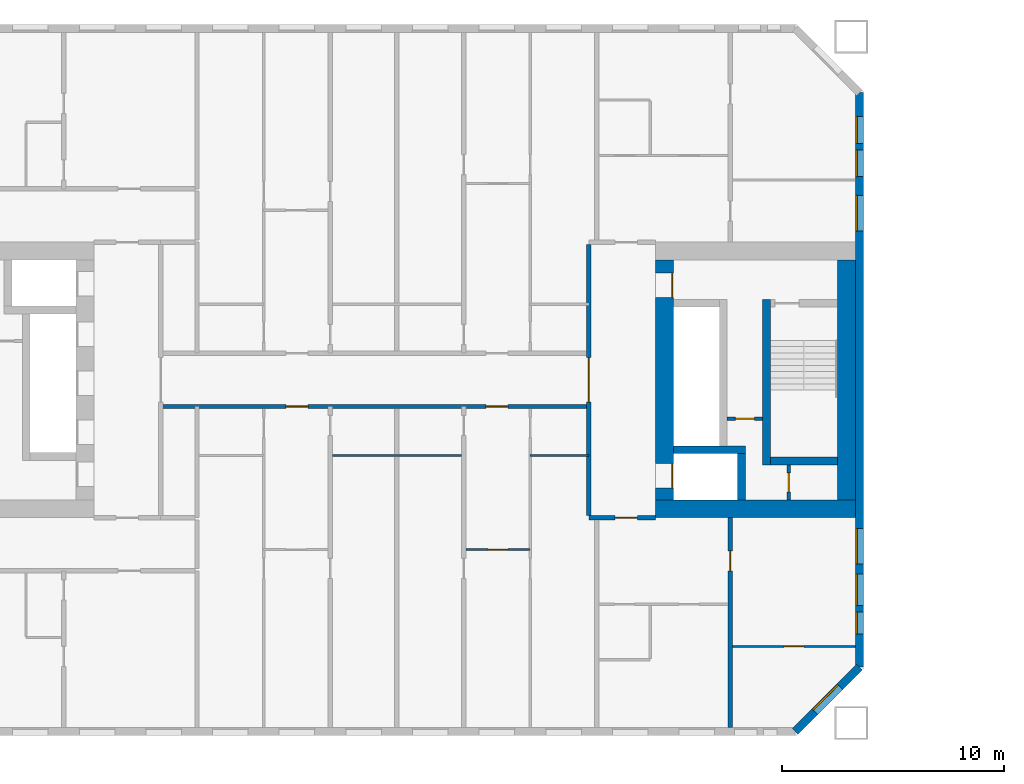
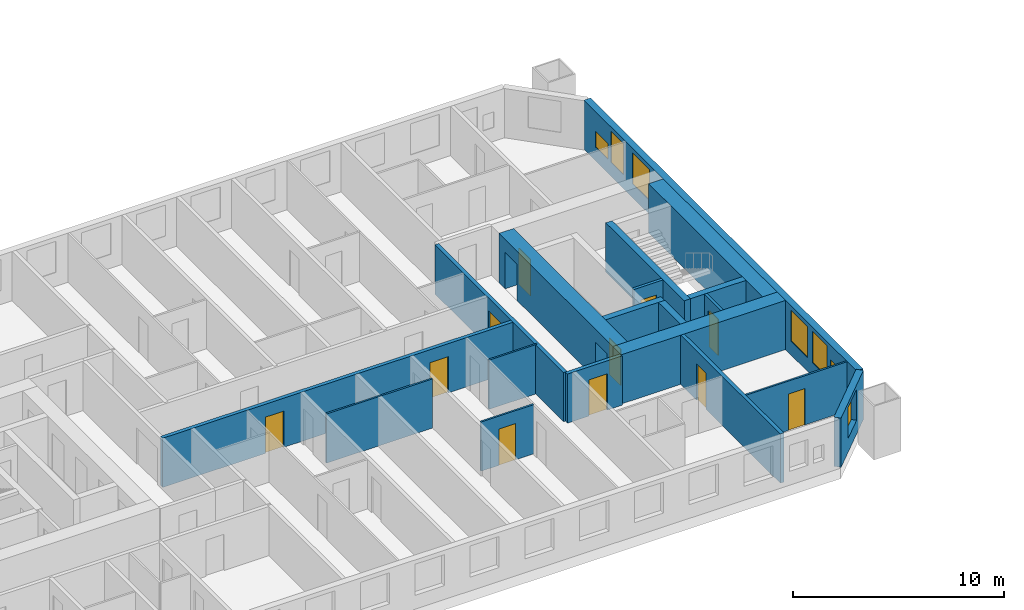
# One storey, part 7 of 17: 19 walls, 11 doors, 7 windows, 18 openings.
"""IFC4 building model written with IfcOpenShell, lengths in metres."""

import ifcopenshell
import ifcopenshell.guid

model = None  # the IFC model being written
_history = None  # IfcOwnerHistory: only IFC2X3 demands one
_inside = {}  # id of a spatial element -> (the spatial element, [elements in it])
_under = {}  # id of a project, library or spatial element -> (it, [spatial elements below it])
_declared = {}  # id of a project -> (the project, [libraries it declares])
_typed = {}  # id of a type object -> (the type object, [elements of that type])
_made_of = {}  # id of a material, layer set ... -> (it, [elements and type objects made of it])


def new_model(schema):
    """Start an empty IFC model of exactly this schema.

    Asked for "IFC4X3", IfcOpenShell would pick the latest addendum, in which some entities
    have other attributes; the version numbers below select the first issue.
    IFC2X3 requires an IfcOwnerHistory on every rooted entity: one is made here for all.
    """
    global model, _history
    if schema == "IFC4X3":
        model = ifcopenshell.file(schema_version=(4, 3, 0, 0))
    else:
        model = ifcopenshell.file(schema=schema)
    _inside.clear()
    _under.clear()
    _declared.clear()
    _typed.clear()
    _made_of.clear()
    _history = None
    if model.schema == "IFC2X3":
        org = make("IfcOrganization", Name="unknown")
        user = make(
            "IfcPersonAndOrganization",
            ThePerson=make("IfcPerson", FamilyName="unknown"),
            TheOrganization=org,
        )
        app = make(
            "IfcApplication",
            ApplicationDeveloper=org,
            Version="unknown",
            ApplicationFullName="unknown",
            ApplicationIdentifier="unknown",
        )
        _history = make(
            "IfcOwnerHistory",
            OwningUser=user,
            OwningApplication=app,
            ChangeAction="ADDED",
            CreationDate=0,
        )
    return model


def make(cls, **values):
    """One entity of the class cls with the attributes given. An attribute that is None is left unset."""
    return model.create_entity(
        cls, **{name: value for name, value in values.items() if value is not None}
    )


def rooted(cls, **values):
    """An entity with a GlobalId (a new one), such as an element, a storey or a relation."""
    return make(cls, GlobalId=ifcopenshell.guid.new(), OwnerHistory=_history, **values)


def si_unit(unit_type, name, prefix=None):
    """IfcSIUnit, for example si_unit("LENGTHUNIT", "METRE", prefix="MILLI")."""
    return make("IfcSIUnit", UnitType=unit_type, Prefix=prefix, Name=name)


def assignment(units):
    """IfcUnitAssignment: the units of a project."""
    return None if units is None else make("IfcUnitAssignment", Units=units)


def point(xyz):
    """IfcCartesianPoint."""
    return None if xyz is None else make("IfcCartesianPoint", Coordinates=xyz)


def direction(xyz):
    """IfcDirection."""
    return None if xyz is None else make("IfcDirection", DirectionRatios=xyz)


def frame(location, z_axis=None, x_axis=None):
    """IfcAxis2Placement3D, a coordinate frame: its origin and axes. An axis left out is left unset."""
    return make(
        "IfcAxis2Placement3D",
        Location=point(location),
        Axis=direction(z_axis),
        RefDirection=direction(x_axis),
    )


def frame_2d(location, x_axis=None):
    """IfcAxis2Placement2D, a coordinate frame in the plane: its origin and x axis."""
    return make(
        "IfcAxis2Placement2D", Location=point(location), RefDirection=direction(x_axis)
    )


def origin():
    """The frame at (0, 0, 0) with its axes left unset."""
    return frame((0.0, 0.0, 0.0))


def place(relative_to, where):
    """IfcLocalPlacement: puts the frame where relative to a parent placement (None: the world)."""
    return make(
        "IfcLocalPlacement", PlacementRelTo=relative_to, RelativePlacement=where
    )


def context(
    kind, dimensions, precision=None, world=None, true_north=None, identifier=None
):
    """IfcGeometricRepresentationContext, for example the 3D "Model" context."""
    return make(
        "IfcGeometricRepresentationContext",
        ContextIdentifier=identifier,
        ContextType=kind,
        CoordinateSpaceDimension=dimensions,
        Precision=precision,
        WorldCoordinateSystem=world,
        TrueNorth=true_north,
    )


def subcontext(parent, identifier, kind, view, scale=None):
    """IfcGeometricRepresentationSubContext, for example "Body" below "Model"."""
    return make(
        "IfcGeometricRepresentationSubContext",
        ContextIdentifier=identifier,
        ContextType=kind,
        ParentContext=parent,
        TargetScale=scale,
        TargetView=view,
    )


def project(units=None, contexts=None):
    """IfcProject with its units and contexts."""
    return rooted(
        "IfcProject",
        Name="project",
        RepresentationContexts=contexts,
        UnitsInContext=assignment(units),
    )


def spatial(cls, under=None, at=None, **own):
    """A site, building, storey or space (cls), placed at a placement, below another one or the project."""
    s = rooted(cls, ObjectPlacement=at, **own)
    if under is not None:
        _under.setdefault(under.id(), (under, []))[1].append(s)
    return s


def profile(cls, at=None, kind="AREA", **sizes):
    """A parametric profile (cls). Its sizes go by their IFC names, for example OverallWidth=200.0."""
    return make(cls, ProfileType=kind, Position=at, **sizes)


def rectangle(**sizes):
    """IfcRectangleProfileDef."""
    return profile("IfcRectangleProfileDef", **sizes)


def extrude(swept, where, along, depth):
    """IfcExtrudedAreaSolid: the profile swept, set in the frame where, extruded along a direction by depth."""
    return make(
        "IfcExtrudedAreaSolid",
        SweptArea=swept,
        Position=where,
        ExtrudedDirection=direction(along),
        Depth=depth,
    )


def shape(context_of_items, identifier, shape_type, items):
    """IfcShapeRepresentation: the items that make up one representation, for example the "Body"."""
    return make(
        "IfcShapeRepresentation",
        ContextOfItems=context_of_items,
        RepresentationIdentifier=identifier,
        RepresentationType=shape_type,
        Items=items,
    )


def material(Name=None, Category=None):
    """IfcMaterial."""
    return make("IfcMaterial", Name=Name, Category=Category)


def layer(
    of_material, thickness, ventilated=None, Name=None, Category=None, Priority=None
):
    """IfcMaterialLayer: one layer of a wall or slab, of a material (None: an air gap)."""
    return make(
        "IfcMaterialLayer",
        Material=of_material,
        LayerThickness=thickness,
        IsVentilated=ventilated,
        Name=Name,
        Category=Category,
        Priority=Priority,
    )


def layer_set(layers, Name=None):
    """IfcMaterialLayerSet."""
    return make("IfcMaterialLayerSet", MaterialLayers=layers, LayerSetName=Name)


def made_of(thing, what):
    """Note that an element or type object is made of a material, layer set ...; save() writes the relation."""
    if what is not None:
        _made_of.setdefault(what.id(), (what, []))[1].append(thing)
    return thing


def type_object(cls, material=None, **own):
    """A type object (cls), such as IfcWallType, which elements share."""
    return made_of(rooted(cls, **own), material)


def element(
    cls,
    number,
    at=None,
    inside=None,
    cuts=None,
    type_object=None,
    material=None,
    context=None,
    identifier="Body",
    shape_type=None,
    held_by="IfcProductDefinitionShape",
    body=None,
    shapes=None,
    **own,
):
    """One element of the class cls, such as IfcWall. Its Tag is "e" and its number.

    at: its placement. inside: the storey or other place that contains it. cuts: it is an
    opening in that element (IfcRelVoidsElement). A single representation is given by context,
    identifier, shape_type and body (its items); several are given by shapes. held_by: the class
    of the entity that holds the representations. save() writes the other relations.
    """
    e = rooted(cls, Tag="e%d" % number, ObjectPlacement=at, **own)
    if body is not None:
        shapes = [shape(context, identifier, shape_type, body)]
    if shapes is not None:
        e.Representation = make(held_by, Representations=shapes)
    if inside is not None:
        _inside.setdefault(inside.id(), (inside, []))[1].append(e)
    if cuts is not None:
        rooted(
            "IfcRelVoidsElement", RelatingBuildingElement=cuts, RelatedOpeningElement=e
        )
    if type_object is not None:
        _typed.setdefault(type_object.id(), (type_object, []))[1].append(e)
    return made_of(e, material)


def fill(opening, filler):
    """IfcRelFillsElement: the door or window that sits in an opening."""
    return rooted(
        "IfcRelFillsElement",
        RelatingOpeningElement=opening,
        RelatedBuildingElement=filler,
    )


def aggregate(whole, parts):
    """IfcRelAggregates: a whole, such as a stair, and the parts it consists of."""
    return rooted("IfcRelAggregates", RelatingObject=whole, RelatedObjects=parts)


def save(model, path):
    """Write the relations noted so far, then the file.

    IfcRelAggregates (storeys below a building ...), IfcRelContainedInSpatialStructure (elements
    in a storey), IfcRelDefinesByType, IfcRelAssociatesMaterial and IfcRelDeclares: one each for
    every whole, place, type object, material and project.
    """
    for whole, parts in _under.values():
        aggregate(whole, parts)
    for where, things in _inside.values():
        rooted(
            "IfcRelContainedInSpatialStructure",
            RelatedElements=things,
            RelatingStructure=where,
        )
    for kind, things in _typed.values():
        rooted("IfcRelDefinesByType", RelatedObjects=things, RelatingType=kind)
    for what, things in _made_of.values():
        rooted("IfcRelAssociatesMaterial", RelatedObjects=things, RelatingMaterial=what)
    for by, libraries in _declared.values():
        rooted("IfcRelDeclares", RelatingContext=by, RelatedDefinitions=libraries)
    model.write(path)


model = new_model("IFC4")

# Units and contexts
model_context = context("Model", 3, precision=1e-05, world=origin(), true_north=direction((0.0, 1.0)))
body_context = subcontext(model_context, "Body", "Model", "MODEL_VIEW")
ifc_project = project(units=[si_unit("LENGTHUNIT", "METRE"), si_unit("AREAUNIT", "SQUARE_METRE"), si_unit("VOLUMEUNIT", "CUBIC_METRE"), si_unit("PLANEANGLEUNIT", "RADIAN"), si_unit("MASSUNIT", "GRAM", prefix="KILO")], contexts=[model_context])

# Site, building, storey
site_placement = place(None, origin())
site = spatial("IfcSite", under=ifc_project, at=site_placement, CompositionType="ELEMENT")
building_placement = place(site_placement, origin())
building = spatial("IfcBuilding", under=site, at=building_placement, Name="Tuart Gate Housing", CompositionType="ELEMENT")
storey_placement = place(building_placement, frame((0.0, 0.0, 44.300048828125)))
storey = spatial("IfcBuildingStorey", under=building, at=storey_placement, Name="L11", CompositionType="ELEMENT", Elevation=44.300048828125)

# Wall, opening, window
ifc_material_1 = material(Name="Brick", Category="masonry")
ifc_layer_1 = layer(ifc_material_1, 0.360107421875)
ifc_layer_set_1 = layer_set([ifc_layer_1], Name="Brick pier and spandrel wall 360")
wall_type_1 = type_object("IfcWallType", Name="Brick pier and spandrel wall 360", PredefinedType="STANDARD", material=ifc_layer_set_1)
wall_1_placement = place(storey_placement, frame((72.92529296875, 54.179931640625, 0.0), z_axis=(0.0, 0.0, 1.0), x_axis=(0.707106781187, 0.707106781187, 0.0)))
wall_1 = element("IfcWall", 1, at=wall_1_placement, inside=storey, type_object=wall_type_1, Name="External wall A-SE L11", PredefinedType="STANDARD", context=body_context, shape_type="SweptSolid", body=[
    extrude(rectangle(XDim=4.09375, YDim=0.360107421875, at=frame_2d((2.046875, 0.0))), origin(), (0.0, 0.0, 1.0), 2.849853515625),
])
opening_1_placement = place(wall_1_placement, frame((1.2470703125, 0.0, 0.800048828125)))
opening_1 = element("IfcOpeningElement", 2, at=opening_1_placement, cuts=wall_1, Name="Opening W1", PredefinedType="OPENING", context=body_context, shape_type="SweptSolid", body=[
    extrude(rectangle(XDim=1.60009765625, YDim=1.800048828125, at=frame_2d((0.800048828125, 0.89990234375))), frame((0.0, 0.18994140625, 0.0), z_axis=(0.0, -1.0, 0.0), x_axis=(1.0, 0.0, 0.0)), (0.0, 0.0, 1.0), 0.380126953125),
])
ifc_material_2 = material(Name="Aluminium frame with clear glass", Category="aluminium")
window_type_1 = type_object("IfcWindowType", Name="Punched window 1600 x 1800", PartitioningType="SINGLE_PANEL", PredefinedType="WINDOW", material=ifc_material_2)
window_1_placement = place(opening_1_placement, origin())
window_1 = element("IfcWindow", 3, at=window_1_placement, inside=storey, type_object=window_type_1, Name="Window W1", OverallHeight=1.800048828125, OverallWidth=1.60009765625, PartitioningType="SINGLE_PANEL", PredefinedType="WINDOW", context=body_context, shape_type="SweptSolid", body=[
    extrude(rectangle(XDim=1.60009765625, YDim=1.800048828125, at=frame_2d((0.800048828125, 0.89990234375))), frame((0.0, 0.150146484375, 0.0), z_axis=(0.0, -1.0, 0.0), x_axis=(1.0, 0.0, 0.0)), (0.0, 0.0, 1.0), 0.06005859375),
])
fill(opening_1, window_1)

# Wall, openings, windows
wall_2_placement = place(storey_placement, frame((75.820068359375, 57.07470703125, 0.0), z_axis=(0.0, 0.0, 1.0), x_axis=(0.0, 1.0, 0.0)))
wall_2 = element("IfcWall", 4, at=wall_2_placement, inside=storey, type_object=wall_type_1, Name="External wall A-E L11", PredefinedType="STANDARD", context=body_context, shape_type="SweptSolid", body=[
    extrude(rectangle(XDim=25.850830078125, YDim=0.360107421875, at=frame_2d((12.92529296875, 0.0))), origin(), (0.0, 0.0, 1.0), 2.849853515625),
])
opening_2_placement = place(wall_2_placement, frame((1.475341796875, 0.0, 0.800048828125)))
opening_2 = element("IfcOpeningElement", 5, at=opening_2_placement, cuts=wall_2, Name="Opening W1O", PredefinedType="OPENING", context=body_context, shape_type="SweptSolid", body=[
    extrude(rectangle(XDim=1.0, YDim=1.199951171875, at=frame_2d((0.5, 0.60009765625))), frame((0.0, 0.18994140625, 0.0), z_axis=(0.0, -1.0, 0.0), x_axis=(1.0, 0.0, 0.0)), (0.0, 0.0, 1.0), 0.380126953125),
])
opening_3_placement = place(wall_2_placement, frame((4.62548828125, 0.0, 0.800048828125)))
opening_3 = element("IfcOpeningElement", 6, at=opening_3_placement, cuts=wall_2, Name="Opening W1", PredefinedType="OPENING", context=body_context, shape_type="SweptSolid", body=[
    extrude(rectangle(XDim=1.60009765625, YDim=1.800048828125, at=frame_2d((0.800048828125, 0.89990234375))), frame((0.0, 0.18994140625, 0.0), z_axis=(0.0, -1.0, 0.0), x_axis=(1.0, 0.0, 0.0)), (0.0, 0.0, 1.0), 0.380126953125),
])
opening_4_placement = place(wall_2_placement, frame((19.62548828125, 0.0, 0.800048828125)))
opening_4 = element("IfcOpeningElement", 7, at=opening_4_placement, cuts=wall_2, Name="Opening W1", PredefinedType="OPENING", context=body_context, shape_type="SweptSolid", body=[
    extrude(rectangle(XDim=1.60009765625, YDim=1.800048828125, at=frame_2d((0.800048828125, 0.89990234375))), frame((0.0, 0.18994140625, 0.0), z_axis=(0.0, -1.0, 0.0), x_axis=(1.0, 0.0, 0.0)), (0.0, 0.0, 1.0), 0.380126953125),
])
opening_5_placement = place(wall_2_placement, frame((22.075439453125, 0.0, 0.800048828125)))
opening_5 = element("IfcOpeningElement", 8, at=opening_5_placement, cuts=wall_2, Name="Opening W1B", PredefinedType="OPENING", context=body_context, shape_type="SweptSolid", body=[
    extrude(rectangle(XDim=1.199951171875, YDim=1.800048828125, at=frame_2d((0.60009765625, 0.89990234375))), frame((0.0, 0.18994140625, 0.0), z_axis=(0.0, -1.0, 0.0), x_axis=(1.0, 0.0, 0.0)), (0.0, 0.0, 1.0), 0.380126953125),
])
opening_6_placement = place(wall_2_placement, frame((2.775390625, 0.0, 0.800048828125)))
opening_6 = element("IfcOpeningElement", 9, at=opening_6_placement, cuts=wall_2, Name="Opening W1A", PredefinedType="OPENING", context=body_context, shape_type="SweptSolid", body=[
    extrude(rectangle(XDim=1.39990234375, YDim=1.800048828125, at=frame_2d((0.699951171875, 0.89990234375))), frame((0.0, 0.18994140625, 0.0), z_axis=(0.0, -1.0, 0.0), x_axis=(1.0, 0.0, 0.0)), (0.0, 0.0, 1.0), 0.380126953125),
])
opening_7_placement = place(wall_2_placement, frame((23.575439453125, 0.0, 0.800048828125)))
opening_7 = element("IfcOpeningElement", 10, at=opening_7_placement, cuts=wall_2, Name="Opening W1T", PredefinedType="OPENING", context=body_context, shape_type="SweptSolid", body=[
    extrude(rectangle(XDim=1.199951171875, YDim=0.89990234375, at=frame_2d((0.60009765625, 0.449951171875))), frame((0.0, 0.18994140625, 0.0), z_axis=(0.0, -1.0, 0.0), x_axis=(1.0, 0.0, 0.0)), (0.0, 0.0, 1.0), 0.380126953125),
])
ifc_material_3 = material(Name="Aluminium frame with clear glass", Category="aluminium")
window_type_2 = type_object("IfcWindowType", Name="Punched window 1000 x 1200", PartitioningType="SINGLE_PANEL", PredefinedType="WINDOW", material=ifc_material_3)
window_2_placement = place(opening_2_placement, origin())
window_2 = element("IfcWindow", 11, at=window_2_placement, inside=storey, type_object=window_type_2, Name="Window W1O", OverallHeight=1.199951171875, OverallWidth=1.0, PartitioningType="SINGLE_PANEL", PredefinedType="WINDOW", context=body_context, shape_type="SweptSolid", body=[
    extrude(rectangle(XDim=1.0, YDim=1.199951171875, at=frame_2d((0.5, 0.60009765625))), frame((0.0, 0.150146484375, 0.0), z_axis=(0.0, -1.0, 0.0), x_axis=(1.0, 0.0, 0.0)), (0.0, 0.0, 1.0), 0.06005859375),
])
fill(opening_2, window_2)
ifc_material_4 = material(Name="Aluminium frame with clear glass", Category="aluminium")
window_type_3 = type_object("IfcWindowType", Name="Punched window 1200 x 1800", PartitioningType="SINGLE_PANEL", PredefinedType="WINDOW", material=ifc_material_4)
window_3_placement = place(opening_5_placement, origin())
window_3 = element("IfcWindow", 12, at=window_3_placement, inside=storey, type_object=window_type_3, Name="Window W1B", OverallHeight=1.800048828125, OverallWidth=1.199951171875, PartitioningType="SINGLE_PANEL", PredefinedType="WINDOW", context=body_context, shape_type="SweptSolid", body=[
    extrude(rectangle(XDim=1.199951171875, YDim=1.800048828125, at=frame_2d((0.60009765625, 0.89990234375))), frame((0.0, 0.150146484375, 0.0), z_axis=(0.0, -1.0, 0.0), x_axis=(1.0, 0.0, 0.0)), (0.0, 0.0, 1.0), 0.06005859375),
])
fill(opening_5, window_3)
ifc_material_5 = material(Name="Aluminium frame with clear glass", Category="aluminium")
window_type_4 = type_object("IfcWindowType", Name="Punched window 1200 x 900", PartitioningType="SINGLE_PANEL", PredefinedType="WINDOW", material=ifc_material_5)
window_4_placement = place(opening_7_placement, origin())
window_4 = element("IfcWindow", 13, at=window_4_placement, inside=storey, type_object=window_type_4, Name="Window W1T", OverallHeight=0.89990234375, OverallWidth=1.199951171875, PartitioningType="SINGLE_PANEL", PredefinedType="WINDOW", context=body_context, shape_type="SweptSolid", body=[
    extrude(rectangle(XDim=1.199951171875, YDim=0.89990234375, at=frame_2d((0.60009765625, 0.449951171875))), frame((0.0, 0.150146484375, 0.0), z_axis=(0.0, -1.0, 0.0), x_axis=(1.0, 0.0, 0.0)), (0.0, 0.0, 1.0), 0.06005859375),
])
fill(opening_7, window_4)
ifc_material_6 = material(Name="Aluminium frame with clear glass", Category="aluminium")
window_type_5 = type_object("IfcWindowType", Name="Punched window 1400 x 1800", PartitioningType="SINGLE_PANEL", PredefinedType="WINDOW", material=ifc_material_6)
window_5_placement = place(opening_6_placement, origin())
window_5 = element("IfcWindow", 14, at=window_5_placement, inside=storey, type_object=window_type_5, Name="Window W1A", OverallHeight=1.800048828125, OverallWidth=1.39990234375, PartitioningType="SINGLE_PANEL", PredefinedType="WINDOW", context=body_context, shape_type="SweptSolid", body=[
    extrude(rectangle(XDim=1.39990234375, YDim=1.800048828125, at=frame_2d((0.699951171875, 0.89990234375))), frame((0.0, 0.150146484375, 0.0), z_axis=(0.0, -1.0, 0.0), x_axis=(1.0, 0.0, 0.0)), (0.0, 0.0, 1.0), 0.06005859375),
])
fill(opening_6, window_5)
window_6_placement = place(opening_3_placement, origin())
window_6 = element("IfcWindow", 15, at=window_6_placement, inside=storey, type_object=window_type_1, Name="Window W1", OverallHeight=1.800048828125, OverallWidth=1.60009765625, PartitioningType="SINGLE_PANEL", PredefinedType="WINDOW", context=body_context, shape_type="SweptSolid", body=[
    extrude(rectangle(XDim=1.60009765625, YDim=1.800048828125, at=frame_2d((0.800048828125, 0.89990234375))), frame((0.0, 0.150146484375, 0.0), z_axis=(0.0, -1.0, 0.0), x_axis=(1.0, 0.0, 0.0)), (0.0, 0.0, 1.0), 0.06005859375),
])
fill(opening_3, window_6)
window_7_placement = place(opening_4_placement, origin())
window_7 = element("IfcWindow", 16, at=window_7_placement, inside=storey, type_object=window_type_1, Name="Window W1", OverallHeight=1.800048828125, OverallWidth=1.60009765625, PartitioningType="SINGLE_PANEL", PredefinedType="WINDOW", context=body_context, shape_type="SweptSolid", body=[
    extrude(rectangle(XDim=1.60009765625, YDim=1.800048828125, at=frame_2d((0.800048828125, 0.89990234375))), frame((0.0, 0.150146484375, 0.0), z_axis=(0.0, -1.0, 0.0), x_axis=(1.0, 0.0, 0.0)), (0.0, 0.0, 1.0), 0.06005859375),
])
fill(opening_4, window_7)

# Wall, opening, door
ifc_material_7 = material(Name="Plasterboard partition")
ifc_layer_2 = layer(ifc_material_7, 0.14990234375)
ifc_layer_set_2 = layer_set([ifc_layer_2], Name="Core partition 150")
wall_type_2 = type_object("IfcWallType", Name="Core partition 150", PredefinedType="PARTITIONING", material=ifc_layer_set_2)
wall_3_placement = place(storey_placement, frame((69.864990234375, 68.25, 0.0), z_axis=(0.0, 0.0, 1.0), x_axis=(1.0, 0.0, 0.0)))
wall_3 = element("IfcWall", 17, at=wall_3_placement, inside=storey, type_object=wall_type_2, Name="Core partition AG.3", PredefinedType="PARTITIONING", context=body_context, shape_type="SweptSolid", body=[
    extrude(rectangle(XDim=1.60009765625, YDim=0.14990234375, at=frame_2d((0.800048828125, 0.0))), origin(), (0.0, 0.0, 1.0), 2.849853515625),
])
opening_8_placement = place(wall_3_placement, frame((0.375, 0.0, 0.0)))
opening_8 = element("IfcOpeningElement", 18, at=opening_8_placement, cuts=wall_3, Name="Opening D628", PredefinedType="OPENING", context=body_context, shape_type="SweptSolid", body=[
    extrude(rectangle(XDim=0.85009765625, YDim=2.10009765625, at=frame_2d((0.425048828125, 1.050048828125))), frame((0.0, 0.0849609375, 0.0), z_axis=(0.0, -1.0, 0.0), x_axis=(1.0, 0.0, 0.0)), (0.0, 0.0, 1.0), 0.169921875),
])
ifc_material_8 = material(Name="Steel fire door", Category="steel")
door_type_1 = type_object("IfcDoorType", Name="Riser door 850 x 2100 RH", OperationType="SINGLE_SWING_RIGHT", PredefinedType="DOOR", material=ifc_material_8)
door_1_placement = place(opening_8_placement, frame((0.85009765625, 0.0, 0.0), z_axis=(0.0, 0.0, 1.0), x_axis=(-1.0, 0.0, 0.0)))
door_1 = element("IfcDoor", 19, at=door_1_placement, inside=storey, type_object=door_type_1, Name="Service room door AG.E1", OperationType="SINGLE_SWING_RIGHT", OverallHeight=2.10009765625, OverallWidth=0.85009765625, PredefinedType="DOOR", context=body_context, shape_type="SweptSolid", body=[
    extrude(rectangle(XDim=0.85009765625, YDim=2.10009765625, at=frame_2d((0.425048828125, 1.050048828125))), frame((0.0, 0.025146484375, 0.0), z_axis=(0.0, -1.0, 0.0), x_axis=(1.0, 0.0, 0.0)), (0.0, 0.0, 1.0), 0.050048828125),
])
fill(opening_8, door_1)

wall_4_placement = place(storey_placement, frame((72.639892578125, 64.60009765625, 0.0), z_axis=(0.0, 0.0, 1.0), x_axis=(0.0, 1.0, 0.0)))
wall_4 = element("IfcWall", 20, at=wall_4_placement, inside=storey, type_object=wall_type_2, Name="Core partition AG.9", PredefinedType="PARTITIONING", context=body_context, shape_type="SweptSolid", body=[
    extrude(rectangle(XDim=1.574951171875, YDim=0.14990234375, at=frame_2d((0.78759765625, 0.0))), origin(), (0.0, 0.0, 1.0), 2.849853515625),
])
opening_9_placement = place(wall_4_placement, frame((0.362548828125, 0.0, 0.0)))
opening_9 = element("IfcOpeningElement", 21, at=opening_9_placement, cuts=wall_4, Name="Opening D630", PredefinedType="OPENING", context=body_context, shape_type="SweptSolid", body=[
    extrude(rectangle(XDim=0.85009765625, YDim=2.10009765625, at=frame_2d((0.425048828125, 1.050048828125))), frame((0.0, 0.0849609375, 0.0), z_axis=(0.0, -1.0, 0.0), x_axis=(1.0, 0.0, 0.0)), (0.0, 0.0, 1.0), 0.169921875),
])
ifc_material_9 = material(Name="Steel fire door", Category="steel")
door_type_2 = type_object("IfcDoorType", Name="Service door 850 x 2100", OperationType="SINGLE_SWING_LEFT", PredefinedType="DOOR", material=ifc_material_9)
door_2_placement = place(opening_9_placement, origin())
door_2 = element("IfcDoor", 22, at=door_2_placement, inside=storey, type_object=door_type_2, Name="Service room door AG.E2", OperationType="SINGLE_SWING_LEFT", OverallHeight=2.10009765625, OverallWidth=0.85009765625, PredefinedType="DOOR", context=body_context, shape_type="SweptSolid", body=[
    extrude(rectangle(XDim=0.85009765625, YDim=2.10009765625, at=frame_2d((0.425048828125, 1.050048828125))), frame((0.0, 0.02490234375, 0.0), z_axis=(0.0, -1.0, 0.0), x_axis=(1.0, 0.0, 0.0)), (0.0, 0.0, 1.0), 0.050048828125),
])
fill(opening_9, door_2)

# Walls
ifc_material_10 = material(Name="Concrete C60", Category="concrete")
ifc_layer_3 = layer(ifc_material_10, 0.35009765625)
ifc_layer_set_3 = layer_set([ifc_layer_3], Name="Core wall 350 C60")
wall_type_3 = type_object("IfcWallType", Name="Core wall 350 C60", PredefinedType="SHEAR", material=ifc_layer_set_3)
wall_5_placement = place(storey_placement, frame((71.81494140625, 66.35009765625, 0.0), z_axis=(0.0, 0.0, 1.0), x_axis=(1.0, 0.0, 0.0)))
element("IfcWall", 23, at=wall_5_placement, inside=storey, type_object=wall_type_3, Name="Core wall AG.1", PredefinedType="SHEAR", context=body_context, shape_type="SweptSolid", body=[
    extrude(rectangle(XDim=3.025146484375, YDim=0.35009765625, at=frame_2d((1.5126953125, 0.0))), origin(), (0.0, 0.0, 1.0), 2.849853515625),
])
wall_6_placement = place(storey_placement, frame((67.43994140625, 66.85009765625, 0.0), z_axis=(0.0, 0.0, 1.0), x_axis=(1.0, 0.0, 0.0)))
element("IfcWall", 24, at=wall_6_placement, inside=storey, type_object=wall_type_3, Name="Core wall AG.2", PredefinedType="SHEAR", context=body_context, shape_type="SweptSolid", body=[
    extrude(rectangle(XDim=3.2451171875, YDim=0.35009765625, at=frame_2d((1.62255859375, 0.0))), origin(), (0.0, 0.0, 1.0), 2.849853515625),
])
wall_7_placement = place(storey_placement, frame((70.510009765625, 64.60009765625, 0.0), z_axis=(0.0, 0.0, 1.0), x_axis=(0.0, 1.0, 0.0)))
element("IfcWall", 25, at=wall_7_placement, inside=storey, type_object=wall_type_3, Name="Core wall AG.7", PredefinedType="SHEAR", context=body_context, shape_type="SweptSolid", body=[
    extrude(rectangle(XDim=2.074951171875, YDim=0.35009765625, at=frame_2d((1.03759765625, 0.0))), origin(), (0.0, 0.0, 1.0), 2.849853515625),
])
wall_8_placement = place(storey_placement, frame((71.639892578125, 66.175048828125, 0.0), z_axis=(0.0, 0.0, 1.0), x_axis=(0.0, 1.0, 0.0)))
element("IfcWall", 26, at=wall_8_placement, inside=storey, type_object=wall_type_3, Name="Core wall AG.8", PredefinedType="SHEAR", context=body_context, shape_type="SweptSolid", body=[
    extrude(rectangle(XDim=7.449951171875, YDim=0.35009765625, at=frame_2d((3.72509765625, 0.0))), origin(), (0.0, 0.0, 1.0), 2.849853515625),
])

# Wall, openings, doors
ifc_material_11 = material(Name="Concrete C60", Category="concrete")
ifc_layer_4 = layer(ifc_material_11, 0.800048828125)
ifc_layer_set_4 = layer_set([ifc_layer_4], Name="Core wall 800 C60")
wall_type_4 = type_object("IfcWallType", Name="Core wall 800 C60", PredefinedType="SHEAR", material=ifc_layer_set_4)
wall_9_placement = place(storey_placement, frame((67.0400390625, 64.60009765625, 0.0), z_axis=(0.0, 0.0, 1.0), x_axis=(0.0, 1.0, 0.0)))
wall_9 = element("IfcWall", 27, at=wall_9_placement, inside=storey, type_object=wall_type_4, Name="Core wall AG front", PredefinedType="SHEAR", context=body_context, shape_type="SweptSolid", body=[
    extrude(rectangle(XDim=10.7998046875, YDim=0.800048828125, at=frame_2d((5.39990234375, 0.0))), origin(), (0.0, 0.0, 1.0), 2.849853515625),
])
opening_10_placement = place(wall_9_placement, frame((0.52490234375, 0.0, 0.0)))
opening_10 = element("IfcOpeningElement", 28, at=opening_10_placement, cuts=wall_9, Name="Opening LD-FA1", PredefinedType="OPENING", context=body_context, shape_type="SweptSolid", body=[
    extrude(rectangle(XDim=1.10009765625, YDim=2.10009765625, at=frame_2d((0.550048828125, 1.050048828125))), frame((0.0, 0.409912109375, 0.0), z_axis=(0.0, -1.0, 0.0), x_axis=(1.0, 0.0, 0.0)), (0.0, 0.0, 1.0), 0.820068359375),
])
opening_11_placement = place(wall_9_placement, frame((9.10009765625, 0.0, 0.0)))
opening_11 = element("IfcOpeningElement", 29, at=opening_11_placement, cuts=wall_9, Name="Opening D625", PredefinedType="OPENING", context=body_context, shape_type="SweptSolid", body=[
    extrude(rectangle(XDim=1.10009765625, YDim=2.10009765625, at=frame_2d((0.550048828125, 1.050048828125))), frame((0.0, 0.409912109375, 0.0), z_axis=(0.0, -1.0, 0.0), x_axis=(1.0, 0.0, 0.0)), (0.0, 0.0, 1.0), 0.820068359375),
])
ifc_material_12 = material(Name="Stainless steel", Category="steel")
door_type_3 = type_object("IfcDoorType", Name="Landing door 1100 x 2100", OperationType="DOUBLE_DOOR_SLIDING", PredefinedType="DOOR", material=ifc_material_12)
door_3_placement = place(opening_10_placement, origin())
door_3 = element("IfcDoor", 30, at=door_3_placement, inside=storey, type_object=door_type_3, Name="Lift landing door FA1", OperationType="DOUBLE_DOOR_SLIDING", OverallHeight=2.10009765625, OverallWidth=1.10009765625, PredefinedType="DOOR", context=body_context, shape_type="SweptSolid", body=[
    extrude(rectangle(XDim=1.10009765625, YDim=2.10009765625, at=frame_2d((0.550048828125, 1.050048828125))), frame((0.0, -0.3349609375, 0.0), z_axis=(0.0, -1.0, 0.0), x_axis=(1.0, 0.0, 0.0)), (0.0, 0.0, 1.0), 0.050048828125),
])
fill(opening_10, door_3)
ifc_material_13 = material(Name="Steel fire door", Category="steel")
door_type_4 = type_object("IfcDoorType", Name="Lobby door 1100 x 2100 RH", OperationType="SINGLE_SWING_RIGHT", PredefinedType="DOOR", material=ifc_material_13)
door_4_placement = place(opening_11_placement, frame((1.10009765625, 0.0, 0.0), z_axis=(0.0, 0.0, 1.0), x_axis=(-1.0, 0.0, 0.0)))
door_4 = element("IfcDoor", 31, at=door_4_placement, inside=storey, type_object=door_type_4, Name="Lobby entry door AG.EN", OperationType="SINGLE_SWING_RIGHT", OverallHeight=2.10009765625, OverallWidth=1.10009765625, PredefinedType="DOOR", context=body_context, shape_type="SweptSolid", body=[
    extrude(rectangle(XDim=1.10009765625, YDim=2.10009765625, at=frame_2d((0.550048828125, 1.050048828125))), frame((0.0, 0.385009765625, 0.0), z_axis=(0.0, -1.0, 0.0), x_axis=(1.0, 0.0, 0.0)), (0.0, 0.0, 1.0), 0.050048828125),
])
fill(opening_11, door_4)

# Walls
wall_10_placement = place(storey_placement, frame((75.239990234375, 64.60009765625, 0.0), z_axis=(0.0, 0.0, 1.0), x_axis=(0.0, 1.0, 0.0)))
element("IfcWall", 32, at=wall_10_placement, inside=storey, type_object=wall_type_4, Name="Core wall AG back", PredefinedType="SHEAR", context=body_context, shape_type="SweptSolid", body=[
    extrude(rectangle(XDim=10.7998046875, YDim=0.800048828125, at=frame_2d((5.39990234375, 0.0))), origin(), (0.0, 0.0, 1.0), 2.849853515625),
])
wall_11_placement = place(storey_placement, frame((66.639892578125, 64.199951171875, 0.0), z_axis=(0.0, 0.0, 1.0), x_axis=(1.0, 0.0, 0.0)))
element("IfcWall", 33, at=wall_11_placement, inside=storey, type_object=wall_type_4, Name="Core wall AG south", PredefinedType="SHEAR", context=body_context, shape_type="SweptSolid", body=[
    extrude(rectangle(XDim=9.0, YDim=0.800048828125, at=frame_2d((4.5, 0.0))), origin(), (0.0, 0.0, 1.0), 2.849853515625),
])

# Wall, openings, doors
ifc_material_14 = material(Name="Concrete masonry 15 MPa", Category="masonry")
ifc_layer_5 = layer(ifc_material_14, 0.199951171875)
ifc_layer_set_5 = layer_set([ifc_layer_5], Name="Corridor wall masonry 200")
wall_type_5 = type_object("IfcWallType", Name="Corridor wall masonry 200", PredefinedType="PARTITIONING", material=ifc_layer_set_5)
wall_12_placement = place(storey_placement, frame((44.360107421875, 68.800048828125, 0.0), z_axis=(0.0, 0.0, 1.0), x_axis=(1.0, 0.0, 0.0)))
wall_12 = element("IfcWall", 34, at=wall_12_placement, inside=storey, type_object=wall_type_5, Name="Corridor wall masonry 200", PredefinedType="PARTITIONING", context=body_context, shape_type="SweptSolid", body=[
    extrude(rectangle(XDim=19.27978515625, YDim=0.199951171875, at=frame_2d((9.639892578125, 0.0))), origin(), (0.0, 0.0, 1.0), 2.849853515625),
])
opening_12_placement = place(wall_12_placement, frame((14.639892578125, 0.0, 0.0)))
opening_12 = element("IfcOpeningElement", 35, at=opening_12_placement, cuts=wall_12, Name="Opening D626", PredefinedType="OPENING", context=body_context, shape_type="SweptSolid", body=[
    extrude(rectangle(XDim=1.0, YDim=2.10009765625, at=frame_2d((0.5, 1.050048828125))), frame((0.0, 0.10986328125, 0.0), z_axis=(0.0, -1.0, 0.0), x_axis=(1.0, 0.0, 0.0)), (0.0, 0.0, 1.0), 0.219970703125),
])
opening_13_placement = place(wall_12_placement, frame((5.639892578125, 0.0, 0.0)))
opening_13 = element("IfcOpeningElement", 36, at=opening_13_placement, cuts=wall_12, Name="Opening D627", PredefinedType="OPENING", context=body_context, shape_type="SweptSolid", body=[
    extrude(rectangle(XDim=1.0, YDim=2.10009765625, at=frame_2d((0.5, 1.050048828125))), frame((0.0, 0.10986328125, 0.0), z_axis=(0.0, -1.0, 0.0), x_axis=(1.0, 0.0, 0.0)), (0.0, 0.0, 1.0), 0.219970703125),
])
ifc_material_15 = material(Name="Timber door leaf in steel frame", Category="steel")
door_type_5 = type_object("IfcDoorType", Name="Flat entrance door 1000 RH", OperationType="SINGLE_SWING_RIGHT", PredefinedType="DOOR", material=ifc_material_15)
door_5_placement = place(opening_12_placement, frame((1.0, 0.0, 0.0), z_axis=(0.0, 0.0, 1.0), x_axis=(-1.0, 0.0, 0.0)))
door_5 = element("IfcDoor", 37, at=door_5_placement, inside=storey, type_object=door_type_5, Name="Flat entrance door", OperationType="SINGLE_SWING_RIGHT", OverallHeight=2.10009765625, OverallWidth=1.0, PredefinedType="DOOR", context=body_context, shape_type="SweptSolid", body=[
    extrude(rectangle(XDim=1.0, YDim=2.10009765625, at=frame_2d((0.5, 1.050048828125))), frame((0.0, 0.025146484375, 0.0), z_axis=(0.0, -1.0, 0.0), x_axis=(1.0, 0.0, 0.0)), (0.0, 0.0, 1.0), 0.050048828125),
])
fill(opening_12, door_5)
door_6_placement = place(opening_13_placement, frame((1.0, 0.0, 0.0), z_axis=(0.0, 0.0, 1.0), x_axis=(-1.0, 0.0, 0.0)))
door_6 = element("IfcDoor", 38, at=door_6_placement, inside=storey, type_object=door_type_5, Name="Flat entrance door", OperationType="SINGLE_SWING_RIGHT", OverallHeight=2.10009765625, OverallWidth=1.0, PredefinedType="DOOR", context=body_context, shape_type="SweptSolid", body=[
    extrude(rectangle(XDim=1.0, YDim=2.10009765625, at=frame_2d((0.5, 1.050048828125))), frame((0.0, 0.025146484375, 0.0), z_axis=(0.0, -1.0, 0.0), x_axis=(1.0, 0.0, 0.0)), (0.0, 0.0, 1.0), 0.050048828125),
])
fill(opening_13, door_6)

# Wall, opening, door
ifc_material_16 = material(Name="Concrete masonry 15 MPa", Category="masonry")
ifc_layer_6 = layer(ifc_material_16, 0.199951171875)
ifc_layer_set_6 = layer_set([ifc_layer_6], Name="Enclosure wall masonry 200")
wall_type_6 = type_object("IfcWallType", Name="Enclosure wall masonry 200", PredefinedType="PARTITIONING", material=ifc_layer_set_6)
wall_13_placement = place(storey_placement, frame((63.639892578125, 63.800048828125, 0.0), z_axis=(0.0, 0.0, 1.0), x_axis=(1.0, 0.0, 0.0)))
wall_13 = element("IfcWall", 39, at=wall_13_placement, inside=storey, type_object=wall_type_6, Name="Enclosure wall masonry 200", PredefinedType="PARTITIONING", context=body_context, shape_type="SweptSolid", body=[
    extrude(rectangle(XDim=3.0, YDim=0.199951171875, at=frame_2d((1.5, 0.0))), origin(), (0.0, 0.0, 1.0), 2.849853515625),
])
opening_14_placement = place(wall_13_placement, frame((1.179931640625, 0.0, 0.0)))
opening_14 = element("IfcOpeningElement", 40, at=opening_14_placement, cuts=wall_13, Name="Opening D633", PredefinedType="OPENING", context=body_context, shape_type="SweptSolid", body=[
    extrude(rectangle(XDim=1.0, YDim=2.10009765625, at=frame_2d((0.5, 1.050048828125))), frame((0.0, 0.10986328125, 0.0), z_axis=(0.0, -1.0, 0.0), x_axis=(1.0, 0.0, 0.0)), (0.0, 0.0, 1.0), 0.219970703125),
])
door_7_placement = place(opening_14_placement, frame((1.0, 0.0, 0.0), z_axis=(0.0, 0.0, 1.0), x_axis=(-1.0, 0.0, 0.0)))
door_7 = element("IfcDoor", 41, at=door_7_placement, inside=storey, type_object=door_type_5, Name="Flat entrance door", OperationType="SINGLE_SWING_RIGHT", OverallHeight=2.10009765625, OverallWidth=1.0, PredefinedType="DOOR", context=body_context, shape_type="SweptSolid", body=[
    extrude(rectangle(XDim=1.0, YDim=2.10009765625, at=frame_2d((0.5, 1.050048828125))), frame((0.0, 0.025146484375, 0.0), z_axis=(0.0, -1.0, 0.0), x_axis=(1.0, 0.0, 0.0)), (0.0, 0.0, 1.0), 0.050048828125),
])
fill(opening_14, door_7)

ifc_material_17 = material(Name="Plasterboard partition")
ifc_layer_7 = layer(ifc_material_17, 0.199951171875)
ifc_layer_set_7 = layer_set([ifc_layer_7], Name="Lobby wall 200")
wall_type_7 = type_object("IfcWallType", Name="Lobby wall 200", PredefinedType="PARTITIONING", material=ifc_layer_set_7)
wall_14_placement = place(storey_placement, frame((63.639892578125, 63.89990234375, 0.0), z_axis=(0.0, 0.0, 1.0), x_axis=(0.0, 1.0, 0.0)))
wall_14 = element("IfcWall", 42, at=wall_14_placement, inside=storey, type_object=wall_type_7, Name="Lift lobby wall AG", PredefinedType="PARTITIONING", context=body_context, shape_type="SweptSolid", body=[
    extrude(rectangle(XDim=12.2001953125, YDim=0.199951171875, at=frame_2d((6.10009765625, 0.0))), origin(), (0.0, 0.0, 1.0), 2.849853515625),
])
opening_15_placement = place(wall_14_placement, frame((5.10009765625, 0.0, 0.0)))
opening_15 = element("IfcOpeningElement", 43, at=opening_15_placement, cuts=wall_14, Name="Opening D624", PredefinedType="OPENING", context=body_context, shape_type="SweptSolid", body=[
    extrude(rectangle(XDim=2.0, YDim=2.10009765625, at=frame_2d((1.0, 1.050048828125))), frame((0.0, 0.10986328125, 0.0), z_axis=(0.0, -1.0, 0.0), x_axis=(1.0, 0.0, 0.0)), (0.0, 0.0, 1.0), 0.219970703125),
])
ifc_material_18 = material(Name="Steel fire door", Category="steel")
door_type_6 = type_object("IfcDoorType", Name="Smoke door 2000 x 2100", OperationType="DOUBLE_DOOR_SINGLE_SWING", PredefinedType="DOOR", material=ifc_material_18)
door_8_placement = place(opening_15_placement, frame((2.0, 0.0, 0.0), z_axis=(0.0, 0.0, 1.0), x_axis=(-1.0, 0.0, 0.0)))
door_8 = element("IfcDoor", 44, at=door_8_placement, inside=storey, type_object=door_type_6, Name="Lift lobby smoke door AG", OperationType="DOUBLE_DOOR_SINGLE_SWING", OverallHeight=2.10009765625, OverallWidth=2.0, PredefinedType="DOOR", context=body_context, shape_type="SweptSolid", body=[
    extrude(rectangle(XDim=2.0, YDim=2.10009765625, at=frame_2d((1.0, 1.050048828125))), frame((0.0, 0.025146484375, 0.0), z_axis=(0.0, -1.0, 0.0), x_axis=(1.0, 0.0, 0.0)), (0.0, 0.0, 1.0), 0.050048828125),
])
fill(opening_15, door_8)

ifc_material_19 = material(Name="Gypsum board on steel studs", Category="steel")
ifc_layer_8 = layer(ifc_material_19, 0.10009765625)
ifc_layer_set_8 = layer_set([ifc_layer_8], Name="Partition 100")
wall_type_8 = type_object("IfcWallType", Name="Partition 100", PredefinedType="PARTITIONING", material=ifc_layer_set_8)
wall_15_placement = place(storey_placement, frame((70.10009765625, 58.0, 0.0), z_axis=(0.0, 0.0, 1.0), x_axis=(1.0, 0.0, 0.0)))
wall_15 = element("IfcWall", 45, at=wall_15_placement, inside=storey, type_object=wall_type_8, Name="Partition 100", PredefinedType="PARTITIONING", context=body_context, shape_type="SweptSolid", body=[
    extrude(rectangle(XDim=5.539794921875, YDim=0.10009765625, at=frame_2d((2.77001953125, 0.0))), origin(), (0.0, 0.0, 1.0), 2.849853515625),
])
opening_16_placement = place(wall_15_placement, frame((2.320068359375, 0.0, 0.0)))
opening_16 = element("IfcOpeningElement", 46, at=opening_16_placement, cuts=wall_15, Name="Opening D651", PredefinedType="OPENING", context=body_context, shape_type="SweptSolid", body=[
    extrude(rectangle(XDim=0.89990234375, YDim=2.10009765625, at=frame_2d((0.449951171875, 1.050048828125))), frame((0.0, 0.06005859375, 0.0), z_axis=(0.0, -1.0, 0.0), x_axis=(1.0, 0.0, 0.0)), (0.0, 0.0, 1.0), 0.1201171875),
])
ifc_material_20 = material(Name="Timber door leaf in steel frame", Category="steel")
door_type_7 = type_object("IfcDoorType", Name="Internal door 900", OperationType="SINGLE_SWING_LEFT", PredefinedType="DOOR", material=ifc_material_20)
door_9_placement = place(opening_16_placement, frame((0.89990234375, 0.0, 0.0), z_axis=(0.0, 0.0, 1.0), x_axis=(-1.0, 0.0, 0.0)))
door_9 = element("IfcDoor", 47, at=door_9_placement, inside=storey, type_object=door_type_7, Name="Internal door", OperationType="SINGLE_SWING_LEFT", OverallHeight=2.10009765625, OverallWidth=0.89990234375, PredefinedType="DOOR", context=body_context, shape_type="SweptSolid", body=[
    extrude(rectangle(XDim=0.89990234375, YDim=2.10009765625, at=frame_2d((0.449951171875, 1.050048828125))), frame((0.0, 0.025146484375, 0.0), z_axis=(0.0, -1.0, 0.0), x_axis=(1.0, 0.0, 0.0)), (0.0, 0.0, 1.0), 0.050048828125),
])
fill(opening_16, door_9)

wall_16_placement = place(storey_placement, frame((58.10009765625, 62.360107421875, 0.0), z_axis=(0.0, 0.0, 1.0), x_axis=(1.0, 0.0, 0.0)))
wall_16 = element("IfcWall", 48, at=wall_16_placement, inside=storey, type_object=wall_type_8, Name="Partition 100", PredefinedType="PARTITIONING", context=body_context, shape_type="SweptSolid", body=[
    extrude(rectangle(XDim=2.89990234375, YDim=0.10009765625, at=frame_2d((1.449951171875, 0.0))), origin(), (0.0, 0.0, 1.0), 2.849853515625),
])
opening_17_placement = place(wall_16_placement, frame((1.0, 0.0, 0.0)))
opening_17 = element("IfcOpeningElement", 49, at=opening_17_placement, cuts=wall_16, Name="Opening D635", PredefinedType="OPENING", context=body_context, shape_type="SweptSolid", body=[
    extrude(rectangle(XDim=0.89990234375, YDim=2.10009765625, at=frame_2d((0.449951171875, 1.050048828125))), frame((0.0, 0.06005859375, 0.0), z_axis=(0.0, -1.0, 0.0), x_axis=(1.0, 0.0, 0.0)), (0.0, 0.0, 1.0), 0.1201171875),
])
ifc_material_21 = material(Name="Timber door leaf in steel frame", Category="steel")
door_type_8 = type_object("IfcDoorType", Name="Internal door 900 RH", OperationType="SINGLE_SWING_RIGHT", PredefinedType="DOOR", material=ifc_material_21)
door_10_placement = place(opening_17_placement, origin())
door_10 = element("IfcDoor", 50, at=door_10_placement, inside=storey, type_object=door_type_8, Name="Internal door", OperationType="SINGLE_SWING_RIGHT", OverallHeight=2.10009765625, OverallWidth=0.89990234375, PredefinedType="DOOR", context=body_context, shape_type="SweptSolid", body=[
    extrude(rectangle(XDim=0.89990234375, YDim=2.10009765625, at=frame_2d((0.449951171875, 1.050048828125))), frame((0.0, 0.02490234375, 0.0), z_axis=(0.0, -1.0, 0.0), x_axis=(1.0, 0.0, 0.0)), (0.0, 0.0, 1.0), 0.050048828125),
])
fill(opening_17, door_10)

# Walls
wall_17_placement = place(storey_placement, frame((52.10009765625, 66.60009765625, 0.0), z_axis=(0.0, 0.0, 1.0), x_axis=(1.0, 0.0, 0.0)))
element("IfcWall", 51, at=wall_17_placement, inside=storey, type_object=wall_type_8, Name="Partition 100", PredefinedType="PARTITIONING", context=body_context, shape_type="SweptSolid", body=[
    extrude(rectangle(XDim=5.7998046875, YDim=0.10009765625, at=frame_2d((2.89990234375, 0.0))), origin(), (0.0, 0.0, 1.0), 2.849853515625),
])
wall_18_placement = place(storey_placement, frame((61.0, 66.60009765625, 0.0), z_axis=(0.0, 0.0, 1.0), x_axis=(1.0, 0.0, 0.0)))
element("IfcWall", 52, at=wall_18_placement, inside=storey, type_object=wall_type_8, Name="Partition 100", PredefinedType="PARTITIONING", context=body_context, shape_type="SweptSolid", body=[
    extrude(rectangle(XDim=2.639892578125, YDim=0.10009765625, at=frame_2d((1.31982421875, 0.0))), origin(), (0.0, 0.0, 1.0), 2.849853515625),
])

# Wall, opening, door
ifc_material_22 = material(Name="Concrete C40", Category="concrete")
ifc_layer_9 = layer(ifc_material_22, 0.199951171875)
ifc_layer_set_9 = layer_set([ifc_layer_9], Name="Party wall concrete C40 200")
wall_type_9 = type_object("IfcWallType", Name="Party wall concrete C40 200", PredefinedType="SOLIDWALL", material=ifc_layer_set_9)
wall_19_placement = place(storey_placement, frame((70.0, 54.360107421875, 0.0), z_axis=(0.0, 0.0, 1.0), x_axis=(0.0, 1.0, 0.0)))
wall_19 = element("IfcWall", 53, at=wall_19_placement, inside=storey, type_object=wall_type_9, Name="Party wall concrete C40 200", PredefinedType="SOLIDWALL", context=body_context, shape_type="SweptSolid", body=[
    extrude(rectangle(XDim=9.43994140625, YDim=0.199951171875, at=frame_2d((4.719970703125, 0.0))), origin(), (0.0, 0.0, 1.0), 2.849853515625),
])
opening_18_placement = place(wall_19_placement, frame((7.0400390625, 0.0, 0.0)))
opening_18 = element("IfcOpeningElement", 54, at=opening_18_placement, cuts=wall_19, Name="Opening D650", PredefinedType="OPENING", context=body_context, shape_type="SweptSolid", body=[
    extrude(rectangle(XDim=0.89990234375, YDim=2.10009765625, at=frame_2d((0.449951171875, 1.050048828125))), frame((0.0, 0.10986328125, 0.0), z_axis=(0.0, -1.0, 0.0), x_axis=(1.0, 0.0, 0.0)), (0.0, 0.0, 1.0), 0.219970703125),
])
door_11_placement = place(opening_18_placement, origin())
door_11 = element("IfcDoor", 55, at=door_11_placement, inside=storey, type_object=door_type_7, Name="Internal door", OperationType="SINGLE_SWING_LEFT", OverallHeight=2.10009765625, OverallWidth=0.89990234375, PredefinedType="DOOR", context=body_context, shape_type="SweptSolid", body=[
    extrude(rectangle(XDim=0.89990234375, YDim=2.10009765625, at=frame_2d((0.449951171875, 1.050048828125))), frame((0.0, 0.02490234375, 0.0), z_axis=(0.0, -1.0, 0.0), x_axis=(1.0, 0.0, 0.0)), (0.0, 0.0, 1.0), 0.050048828125),
])
fill(opening_18, door_11)

save(model, "model.ifc")
